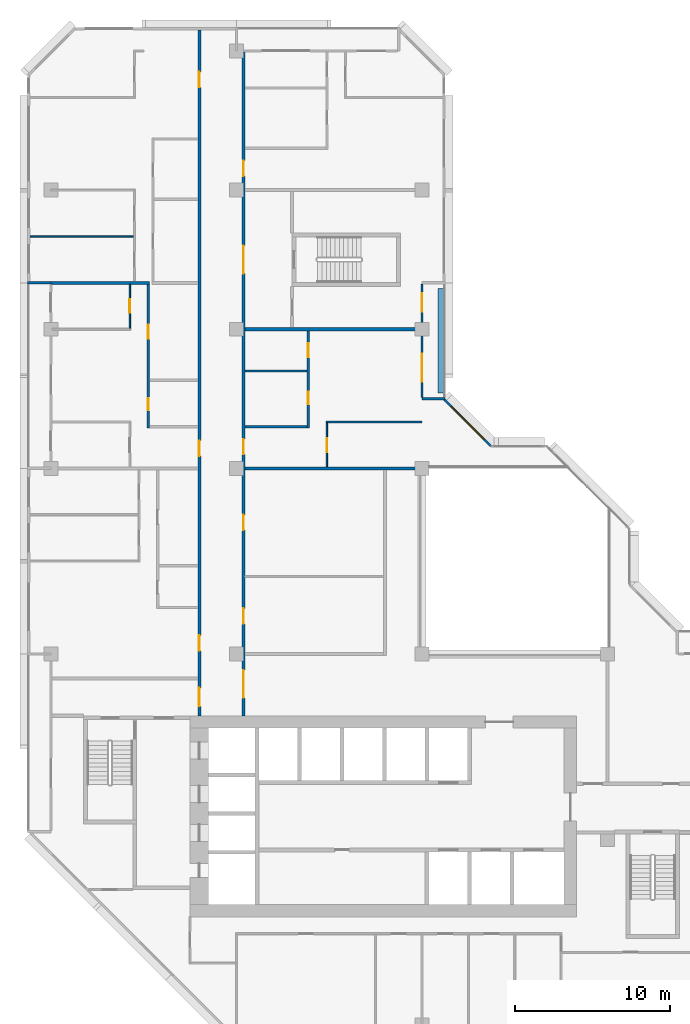
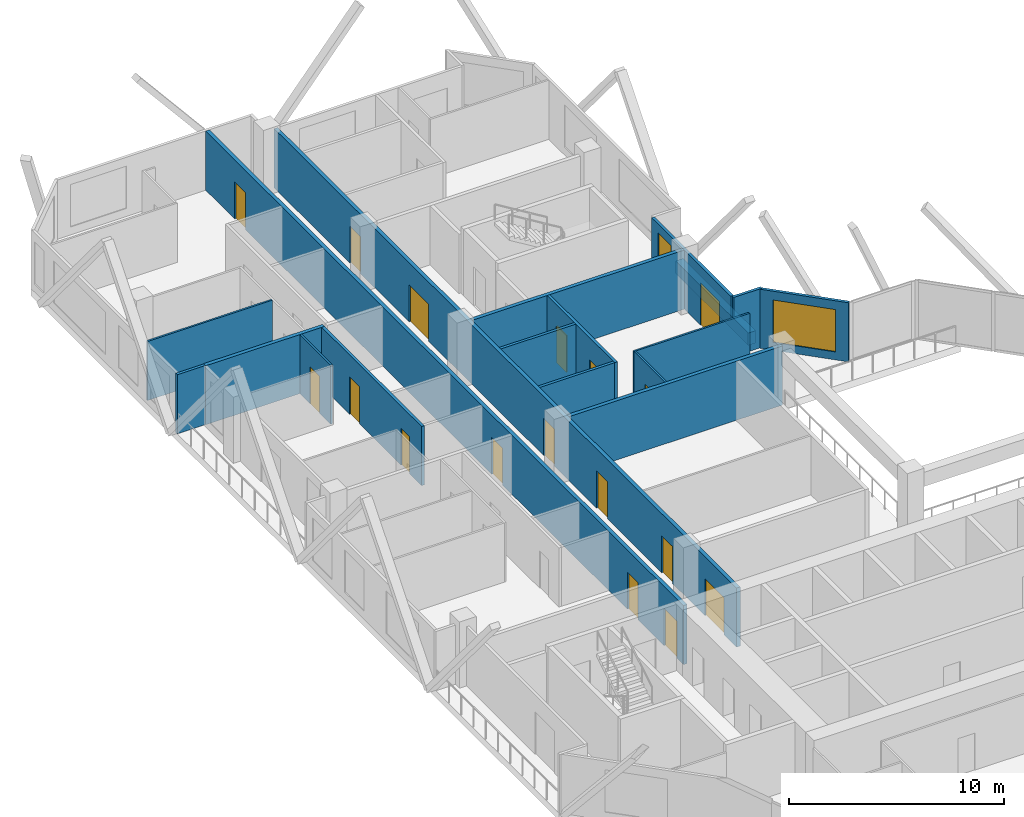
# One storey, part 9 of 14: 18 walls, 17 doors, 2 windows, 19 openings.
"""IFC4 building model written with IfcOpenShell, lengths in metres."""

from ifc_helpers import new_model, si_unit, direction, frame, frame_2d, origin, place, context, subcontext, project, spatial, rectangle, extrude, material, layer, layer_set, type_object, element, fill, save


model = new_model("IFC4")

# Units and contexts
model_context = context("Model", 3, precision=1e-05, world=origin(), true_north=direction((0.0, 1.0)))
body_context = subcontext(model_context, "Body", "Model", "MODEL_VIEW")
ifc_project = project(units=[si_unit("LENGTHUNIT", "METRE"), si_unit("AREAUNIT", "SQUARE_METRE"), si_unit("VOLUMEUNIT", "CUBIC_METRE"), si_unit("PLANEANGLEUNIT", "RADIAN"), si_unit("MASSUNIT", "GRAM", prefix="KILO")], contexts=[model_context])

# Site, building, storey
site_placement = place(None, origin())
site = spatial("IfcSite", under=ifc_project, at=site_placement, CompositionType="ELEMENT")
building_placement = place(site_placement, origin())
building = spatial("IfcBuilding", under=site, at=building_placement, Name="Chenar Terraces", CompositionType="ELEMENT")
storey_placement = place(building_placement, frame((0.0, 0.0, 179.89990234375)))
storey = spatial("IfcBuildingStorey", under=building, at=storey_placement, Name="L41", CompositionType="ELEMENT", Elevation=179.89990234375)

# Wall, openings, doors
ifc_material_1 = material(Name="Gypsum board on steel studs with fire boards", Category="steel")
ifc_layer_1 = layer(ifc_material_1, 0.199951171875)
ifc_layer_set_1 = layer_set([ifc_layer_1], Name="Gypsum board on steel studs with fire boards")
wall_type_1 = type_object("IfcWallType", Name="Corridor wall 200", PredefinedType="PARTITIONING", material=ifc_layer_set_1)
wall_1_placement = place(storey_placement, frame((9.60009765625, 20.0, 0.0), z_axis=(0.0, 0.0, 1.0), x_axis=(0.0, 1.0, 0.0)))
wall_1 = element("IfcWall", 1, at=wall_1_placement, inside=storey, type_object=wall_type_1, Name="Partition L41-031", PredefinedType="PARTITIONING", context=body_context, shape_type="SweptSolid", body=[
    extrude(rectangle(XDim=44.35009765625, YDim=0.199951171875, at=frame_2d((22.175048828125, 0.0))), origin(), (0.0, 0.0, 1.0), 3.35009765625),
])
opening_1_placement = place(wall_1_placement, frame((16.800048828125, 0.0, 0.0)))
opening_1 = element("IfcOpeningElement", 2, at=opening_1_placement, cuts=wall_1, Name="Opening DL41-27", PredefinedType="OPENING", context=body_context, shape_type="SweptSolid", body=[
    extrude(rectangle(XDim=1.0, YDim=2.10009765625, at=frame_2d((0.5, 1.050048828125))), frame((0.0, 0.10986328125, 0.0), z_axis=(0.0, -1.0, 0.0), x_axis=(1.0, 0.0, 0.0)), (0.0, 0.0, 1.0), 0.219970703125),
])
opening_2_placement = place(wall_1_placement, frame((40.64990234375, 0.0, 0.0)))
opening_2 = element("IfcOpeningElement", 3, at=opening_2_placement, cuts=wall_1, Name="Opening DL41-32", PredefinedType="OPENING", context=body_context, shape_type="SweptSolid", body=[
    extrude(rectangle(XDim=1.0, YDim=2.10009765625, at=frame_2d((0.5, 1.050048828125))), frame((0.0, 0.10986328125, 0.0), z_axis=(0.0, -1.0, 0.0), x_axis=(1.0, 0.0, 0.0)), (0.0, 0.0, 1.0), 0.219970703125),
])
opening_3_placement = place(wall_1_placement, frame((0.60009765625, 0.0, 0.0)))
opening_3 = element("IfcOpeningElement", 4, at=opening_3_placement, cuts=wall_1, Name="Opening DL41-36", PredefinedType="OPENING", context=body_context, shape_type="SweptSolid", body=[
    extrude(rectangle(XDim=1.199951171875, YDim=2.10009765625, at=frame_2d((0.60009765625, 1.050048828125))), frame((0.0, 0.10986328125, 0.0), z_axis=(0.0, -1.0, 0.0), x_axis=(1.0, 0.0, 0.0)), (0.0, 0.0, 1.0), 0.219970703125),
])
opening_4_placement = place(wall_1_placement, frame((4.199951171875, 0.0, 0.0)))
opening_4 = element("IfcOpeningElement", 5, at=opening_4_placement, cuts=wall_1, Name="Opening DL41-57", PredefinedType="OPENING", context=body_context, shape_type="SweptSolid", body=[
    extrude(rectangle(XDim=1.0, YDim=2.10009765625, at=frame_2d((0.5, 1.050048828125))), frame((0.0, 0.10986328125, 0.0), z_axis=(0.0, -1.0, 0.0), x_axis=(1.0, 0.0, 0.0)), (0.0, 0.0, 1.0), 0.219970703125),
])
ifc_material_2 = material(Name="Steel-framed fire-resisting door leaf", Category="steel")
door_type_1 = type_object("IfcDoorType", Name="Fire door FD30S 1000 x 2100", OperationType="SINGLE_SWING_LEFT", PredefinedType="DOOR", material=ifc_material_2)
door_1_placement = place(opening_1_placement, origin())
door_1 = element("IfcDoor", 6, at=door_1_placement, inside=storey, type_object=door_type_1, Name="Door DL41-27", OperationType="SINGLE_SWING_LEFT", OverallHeight=2.10009765625, OverallWidth=1.0, PredefinedType="DOOR", context=body_context, shape_type="SweptSolid", body=[
    extrude(rectangle(XDim=1.0, YDim=2.10009765625, at=frame_2d((0.5, 1.050048828125))), frame((0.0, 0.02490234375, 0.0), z_axis=(0.0, -1.0, 0.0), x_axis=(1.0, 0.0, 0.0)), (0.0, 0.0, 1.0), 0.050048828125),
])
fill(opening_1, door_1)
door_2_placement = place(opening_2_placement, origin())
door_2 = element("IfcDoor", 7, at=door_2_placement, inside=storey, type_object=door_type_1, Name="Door DL41-32", OperationType="SINGLE_SWING_RIGHT", OverallHeight=2.10009765625, OverallWidth=1.0, PredefinedType="DOOR", context=body_context, shape_type="SweptSolid", body=[
    extrude(rectangle(XDim=1.0, YDim=2.10009765625, at=frame_2d((0.5, 1.050048828125))), frame((0.0, 0.02490234375, 0.0), z_axis=(0.0, -1.0, 0.0), x_axis=(1.0, 0.0, 0.0)), (0.0, 0.0, 1.0), 0.050048828125),
])
fill(opening_2, door_2)
door_3_placement = place(opening_4_placement, origin())
door_3 = element("IfcDoor", 8, at=door_3_placement, inside=storey, type_object=door_type_1, Name="Door DL41-57", OperationType="SINGLE_SWING_RIGHT", OverallHeight=2.10009765625, OverallWidth=1.0, PredefinedType="DOOR", context=body_context, shape_type="SweptSolid", body=[
    extrude(rectangle(XDim=1.0, YDim=2.10009765625, at=frame_2d((0.5, 1.050048828125))), frame((0.0, 0.02490234375, 0.0), z_axis=(0.0, -1.0, 0.0), x_axis=(1.0, 0.0, 0.0)), (0.0, 0.0, 1.0), 0.050048828125),
])
fill(opening_4, door_3)
ifc_material_3 = material(Name="Steel-framed fire-resisting door leaf", Category="steel")
door_type_2 = type_object("IfcDoorType", Name="Fire door FD30S 1200 x 2100", OperationType="SINGLE_SWING_LEFT", PredefinedType="DOOR", material=ifc_material_3)
door_4_placement = place(opening_3_placement, origin())
door_4 = element("IfcDoor", 9, at=door_4_placement, inside=storey, type_object=door_type_2, Name="Door DL41-36", OperationType="SINGLE_SWING_RIGHT", OverallHeight=2.10009765625, OverallWidth=1.199951171875, PredefinedType="DOOR", context=body_context, shape_type="SweptSolid", body=[
    extrude(rectangle(XDim=1.199951171875, YDim=2.10009765625, at=frame_2d((0.60009765625, 1.050048828125))), frame((0.0, 0.02490234375, 0.0), z_axis=(0.0, -1.0, 0.0), x_axis=(1.0, 0.0, 0.0)), (0.0, 0.0, 1.0), 0.050048828125),
])
fill(opening_3, door_4)

wall_2_placement = place(storey_placement, frame((12.449951171875, 20.0, 0.0), z_axis=(0.0, 0.0, 1.0), x_axis=(0.0, 1.0, 0.0)))
wall_2 = element("IfcWall", 10, at=wall_2_placement, inside=storey, type_object=wall_type_1, Name="Partition L41-034", PredefinedType="PARTITIONING", context=body_context, shape_type="SweptSolid", body=[
    extrude(rectangle(XDim=42.926025390625, YDim=0.199951171875, at=frame_2d((21.462890625, 0.0))), origin(), (0.0, 0.0, 1.0), 3.35009765625),
])
opening_5_placement = place(wall_2_placement, frame((5.949951171875, 0.0, 0.0)))
opening_5 = element("IfcOpeningElement", 11, at=opening_5_placement, cuts=wall_2, Name="Opening DL41-1", PredefinedType="OPENING", context=body_context, shape_type="SweptSolid", body=[
    extrude(rectangle(XDim=1.0, YDim=2.10009765625, at=frame_2d((0.5, 1.050048828125))), frame((0.0, 0.10986328125, 0.0), z_axis=(0.0, -1.0, 0.0), x_axis=(1.0, 0.0, 0.0)), (0.0, 0.0, 1.0), 0.219970703125),
])
opening_6_placement = place(wall_2_placement, frame((12.0, 0.0, 0.0)))
opening_6 = element("IfcOpeningElement", 12, at=opening_6_placement, cuts=wall_2, Name="Opening DL41-2", PredefinedType="OPENING", context=body_context, shape_type="SweptSolid", body=[
    extrude(rectangle(XDim=1.0, YDim=2.10009765625, at=frame_2d((0.5, 1.050048828125))), frame((0.0, 0.10986328125, 0.0), z_axis=(0.0, -1.0, 0.0), x_axis=(1.0, 0.0, 0.0)), (0.0, 0.0, 1.0), 0.219970703125),
])
opening_7_placement = place(wall_2_placement, frame((16.89990234375, 0.0, 0.0)))
opening_7 = element("IfcOpeningElement", 13, at=opening_7_placement, cuts=wall_2, Name="Opening DL41-18", PredefinedType="OPENING", context=body_context, shape_type="SweptSolid", body=[
    extrude(rectangle(XDim=1.0, YDim=2.10009765625, at=frame_2d((0.5, 1.050048828125))), frame((0.0, 0.10986328125, 0.0), z_axis=(0.0, -1.0, 0.0), x_axis=(1.0, 0.0, 0.0)), (0.0, 0.0, 1.0), 0.219970703125),
])
opening_8_placement = place(wall_2_placement, frame((34.89990234375, 0.0, 0.0)))
opening_8 = element("IfcOpeningElement", 14, at=opening_8_placement, cuts=wall_2, Name="Opening DL41-22", PredefinedType="OPENING", context=body_context, shape_type="SweptSolid", body=[
    extrude(rectangle(XDim=1.0, YDim=2.10009765625, at=frame_2d((0.5, 1.050048828125))), frame((0.0, 0.10986328125, 0.0), z_axis=(0.0, -1.0, 0.0), x_axis=(1.0, 0.0, 0.0)), (0.0, 0.0, 1.0), 0.219970703125),
])
opening_9_placement = place(wall_2_placement, frame((1.14990234375, 0.0, 0.0)))
opening_9 = element("IfcOpeningElement", 15, at=opening_9_placement, cuts=wall_2, Name="Opening DL41-35", PredefinedType="OPENING", context=body_context, shape_type="SweptSolid", body=[
    extrude(rectangle(XDim=1.800048828125, YDim=2.10009765625, at=frame_2d((0.89990234375, 1.050048828125))), frame((0.0, 0.10986328125, 0.0), z_axis=(0.0, -1.0, 0.0), x_axis=(1.0, 0.0, 0.0)), (0.0, 0.0, 1.0), 0.219970703125),
])
opening_10_placement = place(wall_2_placement, frame((28.60009765625, 0.0, 0.0)))
opening_10 = element("IfcOpeningElement", 16, at=opening_10_placement, cuts=wall_2, Name="Opening DL41-37", PredefinedType="OPENING", context=body_context, shape_type="SweptSolid", body=[
    extrude(rectangle(XDim=1.800048828125, YDim=2.10009765625, at=frame_2d((0.89990234375, 1.050048828125))), frame((0.0, 0.10986328125, 0.0), z_axis=(0.0, -1.0, 0.0), x_axis=(1.0, 0.0, 0.0)), (0.0, 0.0, 1.0), 0.219970703125),
])
ifc_material_4 = material(Name="Steel-framed fire-resisting door leaf", Category="steel")
door_type_3 = type_object("IfcDoorType", Name="Fire door FD60 1000 x 2100", OperationType="SINGLE_SWING_LEFT", PredefinedType="DOOR", material=ifc_material_4)
door_5_placement = place(opening_5_placement, frame((1.0, 0.0, 0.0), z_axis=(0.0, 0.0, 1.0), x_axis=(-1.0, 0.0, 0.0)))
door_5 = element("IfcDoor", 17, at=door_5_placement, inside=storey, type_object=door_type_3, Name="Door DL41-1", OperationType="SINGLE_SWING_LEFT", OverallHeight=2.10009765625, OverallWidth=1.0, PredefinedType="DOOR", context=body_context, shape_type="SweptSolid", body=[
    extrude(rectangle(XDim=1.0, YDim=2.10009765625, at=frame_2d((0.5, 1.050048828125))), frame((0.0, 0.02490234375, 0.0), z_axis=(0.0, -1.0, 0.0), x_axis=(1.0, 0.0, 0.0)), (0.0, 0.0, 1.0), 0.050048828125),
])
fill(opening_5, door_5)
door_6_placement = place(opening_6_placement, frame((1.0, 0.0, 0.0), z_axis=(0.0, 0.0, 1.0), x_axis=(-1.0, 0.0, 0.0)))
door_6 = element("IfcDoor", 18, at=door_6_placement, inside=storey, type_object=door_type_3, Name="Door DL41-2", OperationType="SINGLE_SWING_LEFT", OverallHeight=2.10009765625, OverallWidth=1.0, PredefinedType="DOOR", context=body_context, shape_type="SweptSolid", body=[
    extrude(rectangle(XDim=1.0, YDim=2.10009765625, at=frame_2d((0.5, 1.050048828125))), frame((0.0, 0.02490234375, 0.0), z_axis=(0.0, -1.0, 0.0), x_axis=(1.0, 0.0, 0.0)), (0.0, 0.0, 1.0), 0.050048828125),
])
fill(opening_6, door_6)
door_7_placement = place(opening_7_placement, frame((1.0, 0.0, 0.0), z_axis=(0.0, 0.0, 1.0), x_axis=(-1.0, 0.0, 0.0)))
door_7 = element("IfcDoor", 19, at=door_7_placement, inside=storey, type_object=door_type_3, Name="Door DL41-18", OperationType="SINGLE_SWING_LEFT", OverallHeight=2.10009765625, OverallWidth=1.0, PredefinedType="DOOR", context=body_context, shape_type="SweptSolid", body=[
    extrude(rectangle(XDim=1.0, YDim=2.10009765625, at=frame_2d((0.5, 1.050048828125))), frame((0.0, 0.02490234375, 0.0), z_axis=(0.0, -1.0, 0.0), x_axis=(1.0, 0.0, 0.0)), (0.0, 0.0, 1.0), 0.050048828125),
])
fill(opening_7, door_7)
door_8_placement = place(opening_8_placement, frame((1.0, 0.0, 0.0), z_axis=(0.0, 0.0, 1.0), x_axis=(-1.0, 0.0, 0.0)))
door_8 = element("IfcDoor", 20, at=door_8_placement, inside=storey, type_object=door_type_3, Name="Door DL41-22", OperationType="SINGLE_SWING_LEFT", OverallHeight=2.10009765625, OverallWidth=1.0, PredefinedType="DOOR", context=body_context, shape_type="SweptSolid", body=[
    extrude(rectangle(XDim=1.0, YDim=2.10009765625, at=frame_2d((0.5, 1.050048828125))), frame((0.0, 0.02490234375, 0.0), z_axis=(0.0, -1.0, 0.0), x_axis=(1.0, 0.0, 0.0)), (0.0, 0.0, 1.0), 0.050048828125),
])
fill(opening_8, door_8)
ifc_material_5 = material(Name="Steel-framed fire-resisting door leaf", Category="steel")
door_type_4 = type_object("IfcDoorType", Name="Fire double door FD60 1800 x 2100", OperationType="DOUBLE_DOOR_SINGLE_SWING", PredefinedType="DOOR", material=ifc_material_5)
door_9_placement = place(opening_9_placement, frame((1.800048828125, 0.0, 0.0), z_axis=(0.0, 0.0, 1.0), x_axis=(-1.0, 0.0, 0.0)))
door_9 = element("IfcDoor", 21, at=door_9_placement, inside=storey, type_object=door_type_4, Name="Door DL41-35", OperationType="DOUBLE_DOOR_SINGLE_SWING", OverallHeight=2.10009765625, OverallWidth=1.800048828125, PredefinedType="DOOR", context=body_context, shape_type="SweptSolid", body=[
    extrude(rectangle(XDim=1.800048828125, YDim=2.10009765625, at=frame_2d((0.89990234375, 1.050048828125))), frame((0.0, 0.02490234375, 0.0), z_axis=(0.0, -1.0, 0.0), x_axis=(1.0, 0.0, 0.0)), (0.0, 0.0, 1.0), 0.050048828125),
])
fill(opening_9, door_9)
door_10_placement = place(opening_10_placement, frame((1.800048828125, 0.0, 0.0), z_axis=(0.0, 0.0, 1.0), x_axis=(-1.0, 0.0, 0.0)))
door_10 = element("IfcDoor", 22, at=door_10_placement, inside=storey, type_object=door_type_4, Name="Door DL41-37", OperationType="DOUBLE_DOOR_SINGLE_SWING", OverallHeight=2.10009765625, OverallWidth=1.800048828125, PredefinedType="DOOR", context=body_context, shape_type="SweptSolid", body=[
    extrude(rectangle(XDim=1.800048828125, YDim=2.10009765625, at=frame_2d((0.89990234375, 1.050048828125))), frame((0.0, 0.02490234375, 0.0), z_axis=(0.0, -1.0, 0.0), x_axis=(1.0, 0.0, 0.0)), (0.0, 0.0, 1.0), 0.050048828125),
])
fill(opening_10, door_10)

# Wall, openings, window, door
ifc_material_6 = material(Name="Aluminium framed glazing", Category="aluminium")
ifc_layer_2 = layer(ifc_material_6, 0.14990234375)
ifc_layer_set_2 = layer_set([ifc_layer_2], Name="Aluminium framed glazing")
wall_type_2 = type_object("IfcWallType", Name="Glazed loggia back wall 150", PredefinedType="SOLIDWALL", material=ifc_layer_set_2)
wall_3_placement = place(storey_placement, frame((24.0, 40.574951171875, 0.0), z_axis=(0.0, 0.0, 1.0), x_axis=(0.0, 1.0, 0.0)))
wall_3 = element("IfcWall", 23, at=wall_3_placement, inside=storey, type_object=wall_type_2, Name="Glazed loggia back wall", PredefinedType="SOLIDWALL", context=body_context, shape_type="SweptSolid", body=[
    extrude(rectangle(XDim=7.35009765625, YDim=0.14990234375, at=frame_2d((3.675048828125, 0.0))), origin(), (0.0, 0.0, 1.0), 3.35009765625),
])
opening_11_placement = place(wall_3_placement, frame((1.03759765625, 0.0, 0.0)))
opening_11 = element("IfcOpeningElement", 24, at=opening_11_placement, cuts=wall_3, Name="Opening DL41-G1", PredefinedType="OPENING", context=body_context, shape_type="SweptSolid", body=[
    extrude(rectangle(XDim=1.800048828125, YDim=2.39990234375, at=frame_2d((0.89990234375, 1.199951171875))), frame((0.0, 0.0849609375, 0.0), z_axis=(0.0, -1.0, 0.0), x_axis=(1.0, 0.0, 0.0)), (0.0, 0.0, 1.0), 0.169921875),
])
opening_12_placement = place(wall_3_placement, frame((5.5625, 0.0, 0.449951171875)))
opening_12 = element("IfcOpeningElement", 25, at=opening_12_placement, cuts=wall_3, Name="Opening W120x240", PredefinedType="OPENING", context=body_context, shape_type="SweptSolid", body=[
    extrude(rectangle(XDim=1.199951171875, YDim=2.39990234375, at=frame_2d((0.60009765625, 1.199951171875))), frame((0.0, 0.0849609375, 0.0), z_axis=(0.0, -1.0, 0.0), x_axis=(1.0, 0.0, 0.0)), (0.0, 0.0, 1.0), 0.169921875),
])
ifc_material_7 = material(Name="Low emissivity double glazing, aluminium frame", Category="aluminium")
window_type_1 = type_object("IfcWindowType", Name="Fixed light 1200 x 2400", PartitioningType="SINGLE_PANEL", PredefinedType="WINDOW", material=ifc_material_7)
window_1_placement = place(opening_12_placement, origin())
window_1 = element("IfcWindow", 26, at=window_1_placement, inside=storey, type_object=window_type_1, Name="Window", OverallHeight=2.39990234375, OverallWidth=1.199951171875, PartitioningType="SINGLE_PANEL", PredefinedType="WINDOW", context=body_context, shape_type="SweptSolid", body=[
    extrude(rectangle(XDim=1.199951171875, YDim=2.39990234375, at=frame_2d((0.60009765625, 1.199951171875))), frame((0.0, 0.030029296875, 0.0), z_axis=(0.0, -1.0, 0.0), x_axis=(1.0, 0.0, 0.0)), (0.0, 0.0, 1.0), 0.06005859375),
])
fill(opening_12, window_1)
ifc_material_8 = material(Name="Low emissivity double glazing, aluminium frame", Category="aluminium")
door_type_5 = type_object("IfcDoorType", Name="Loggia glazed double door 1800 x 2400", OperationType="DOUBLE_DOOR_SINGLE_SWING", PredefinedType="DOOR", material=ifc_material_8)
door_11_placement = place(opening_11_placement, frame((1.800048828125, 0.0, 0.0), z_axis=(0.0, 0.0, 1.0), x_axis=(-1.0, 0.0, 0.0)))
door_11 = element("IfcDoor", 27, at=door_11_placement, inside=storey, type_object=door_type_5, Name="Loggia glazed door", OperationType="DOUBLE_DOOR_SINGLE_SWING", OverallHeight=2.39990234375, OverallWidth=1.800048828125, PredefinedType="DOOR", context=body_context, shape_type="SweptSolid", body=[
    extrude(rectangle(XDim=1.800048828125, YDim=2.39990234375, at=frame_2d((0.89990234375, 1.199951171875))), frame((0.0, 0.02490234375, 0.0), z_axis=(0.0, -1.0, 0.0), x_axis=(1.0, 0.0, 0.0)), (0.0, 0.0, 1.0), 0.050048828125),
])
fill(opening_11, door_11)

# Wall
ifc_material_9 = material(Name="Gypsum board on steel studs", Category="steel")
ifc_layer_3 = layer(ifc_material_9, 0.10009765625)
ifc_layer_set_3 = layer_set([ifc_layer_3], Name="Gypsum board on steel studs")
wall_type_3 = type_object("IfcWallType", Name="Gypsum partition 100", PredefinedType="PARTITIONING", material=ifc_layer_set_3)
wall_4_placement = place(storey_placement, frame((-1.35009765625, 51.0, 0.0), z_axis=(0.0, 0.0, 1.0), x_axis=(1.0, 0.0, 0.0)))
element("IfcWall", 28, at=wall_4_placement, inside=storey, type_object=wall_type_3, Name="Partition L41-005", PredefinedType="PARTITIONING", context=body_context, shape_type="SweptSolid", body=[
    extrude(rectangle(XDim=6.7001953125, YDim=0.10009765625, at=frame_2d((3.35009765625, 0.0))), origin(), (0.0, 0.0, 1.0), 3.35009765625),
])

# Wall, opening, door
wall_5_placement = place(storey_placement, frame((5.10009765625, 45.050048828125, 0.0), z_axis=(0.0, 0.0, 1.0), x_axis=(0.0, 1.0, 0.0)))
wall_5 = element("IfcWall", 29, at=wall_5_placement, inside=storey, type_object=wall_type_3, Name="Partition L41-014", PredefinedType="PARTITIONING", context=body_context, shape_type="SweptSolid", body=[
    extrude(rectangle(XDim=2.849853515625, YDim=0.10009765625, at=frame_2d((1.4248046875, 0.0))), origin(), (0.0, 0.0, 1.0), 3.35009765625),
])
opening_13_placement = place(wall_5_placement, frame((1.0, 0.0, 0.0)))
opening_13 = element("IfcOpeningElement", 30, at=opening_13_placement, cuts=wall_5, Name="Opening DL41-25", PredefinedType="OPENING", context=body_context, shape_type="SweptSolid", body=[
    extrude(rectangle(XDim=0.89990234375, YDim=2.10009765625, at=frame_2d((0.449951171875, 1.050048828125))), frame((0.0, 0.06005859375, 0.0), z_axis=(0.0, -1.0, 0.0), x_axis=(1.0, 0.0, 0.0)), (0.0, 0.0, 1.0), 0.1201171875),
])
ifc_material_10 = material(Name="Veneered timber door leaf", Category="wood")
door_type_6 = type_object("IfcDoorType", Name="Door 900 x 2100", OperationType="SINGLE_SWING_LEFT", PredefinedType="DOOR", material=ifc_material_10)
door_12_placement = place(opening_13_placement, origin())
door_12 = element("IfcDoor", 31, at=door_12_placement, inside=storey, type_object=door_type_6, Name="Door DL41-25", OperationType="SINGLE_SWING_RIGHT", OverallHeight=2.10009765625, OverallWidth=0.89990234375, PredefinedType="DOOR", context=body_context, shape_type="SweptSolid", body=[
    extrude(rectangle(XDim=0.89990234375, YDim=2.10009765625, at=frame_2d((0.449951171875, 1.050048828125))), frame((0.0, 0.02490234375, 0.0), z_axis=(0.0, -1.0, 0.0), x_axis=(1.0, 0.0, 0.0)), (0.0, 0.0, 1.0), 0.050048828125),
])
fill(opening_13, door_12)

# Wall
wall_6_placement = place(storey_placement, frame((17.800048828125, 39.0, 0.0), z_axis=(0.0, 0.0, 1.0), x_axis=(1.0, 0.0, 0.0)))
element("IfcWall", 32, at=wall_6_placement, inside=storey, type_object=wall_type_3, Name="Partition L41-047", PredefinedType="PARTITIONING", context=body_context, shape_type="SweptSolid", body=[
    extrude(rectangle(XDim=6.199951171875, YDim=0.10009765625, at=frame_2d((3.10009765625, 0.0))), origin(), (0.0, 0.0, 1.0), 3.35009765625),
])

# Wall, opening, door
wall_7_placement = place(storey_placement, frame((17.85009765625, 36.10009765625, 0.0), z_axis=(0.0, 0.0, 1.0), x_axis=(0.0, 1.0, 0.0)))
wall_7 = element("IfcWall", 33, at=wall_7_placement, inside=storey, type_object=wall_type_3, Name="Partition L41-048", PredefinedType="PARTITIONING", context=body_context, shape_type="SweptSolid", body=[
    extrude(rectangle(XDim=2.849853515625, YDim=0.10009765625, at=frame_2d((1.4248046875, 0.0))), origin(), (0.0, 0.0, 1.0), 3.35009765625),
])
opening_14_placement = place(wall_7_placement, frame((0.949951171875, 0.0, 0.0)))
opening_14 = element("IfcOpeningElement", 34, at=opening_14_placement, cuts=wall_7, Name="Opening DL41-16", PredefinedType="OPENING", context=body_context, shape_type="SweptSolid", body=[
    extrude(rectangle(XDim=0.89990234375, YDim=2.10009765625, at=frame_2d((0.449951171875, 1.050048828125))), frame((0.0, 0.06005859375, 0.0), z_axis=(0.0, -1.0, 0.0), x_axis=(1.0, 0.0, 0.0)), (0.0, 0.0, 1.0), 0.1201171875),
])
door_13_placement = place(opening_14_placement, frame((0.89990234375, 0.0, 0.0), z_axis=(0.0, 0.0, 1.0), x_axis=(-1.0, 0.0, 0.0)))
door_13 = element("IfcDoor", 35, at=door_13_placement, inside=storey, type_object=door_type_6, Name="Door DL41-16", OperationType="SINGLE_SWING_LEFT", OverallHeight=2.10009765625, OverallWidth=0.89990234375, PredefinedType="DOOR", context=body_context, shape_type="SweptSolid", body=[
    extrude(rectangle(XDim=0.89990234375, YDim=2.10009765625, at=frame_2d((0.449951171875, 1.050048828125))), frame((0.0, 0.02490234375, 0.0), z_axis=(0.0, -1.0, 0.0), x_axis=(1.0, 0.0, 0.0)), (0.0, 0.0, 1.0), 0.050048828125),
])
fill(opening_14, door_13)

# Walls
ifc_material_11 = material(Name="Terracotta cladding on insulated backing", Category="masonry")
ifc_layer_4 = layer(ifc_material_11, 0.14990234375)
ifc_layer_set_4 = layer_set([ifc_layer_4], Name="Terracotta cladding on insulated backing")
wall_type_4 = type_object("IfcWallType", Name="Loggia return wall 150", PredefinedType="SOLIDWALL", material=ifc_layer_set_4)
for number, where, z_axis, x_axis, name in (
    (36, (25.5, 40.5, 0.0), (0.0, 0.0, 1.0), (-1.0, 0.0, 0.0), "Loggia return wall"),
    (37, (-1.5, 48.0, 0.0), (0.0, 0.0, 1.0), (1.0, 0.0, 0.0), "Loggia return wall"),
):
    element("IfcWall", number, at=place(storey_placement, frame(where, z_axis=z_axis, x_axis=x_axis)), inside=storey, type_object=wall_type_4, Name=name, PredefinedType="SOLIDWALL", context=body_context, shape_type="SweptSolid", body=[
        extrude(rectangle(XDim=1.5, YDim=0.14990234375, at=frame_2d((0.75, 0.0))), origin(), (0.0, 0.0, 1.0), 3.35009765625),
    ])

# Wall, opening, window
ifc_material_12 = material(Name="Terracotta cladding on insulated backing", Category="masonry")
ifc_layer_5 = layer(ifc_material_12, 0.14990234375)
ifc_layer_set_5 = layer_set([ifc_layer_5], Name="Terracotta cladding on insulated backing")
wall_type_5 = type_object("IfcWallType", Name="Terracotta rainscreen wall 150", PredefinedType="SOLIDWALL", material=ifc_layer_set_5)
wall_8_placement = place(storey_placement, frame((28.447021484375, 37.447021484375, 0.0), z_axis=(0.0, 0.0, 1.0), x_axis=(-0.707106781187, 0.707106781187, 0.0)))
wall_8 = element("IfcWall", 38, at=wall_8_placement, inside=storey, type_object=wall_type_5, Name="Terracotta rainscreen wall", PredefinedType="SOLIDWALL", context=body_context, shape_type="SweptSolid", body=[
    extrude(rectangle(XDim=4.24267578125, YDim=0.14990234375, at=frame_2d((2.121337890625, 0.0))), origin(), (0.0, 0.0, 1.0), 3.35009765625),
])
opening_15_placement = place(wall_8_placement, frame((0.621337890625, 0.0, 0.449951171875)))
opening_15 = element("IfcOpeningElement", 39, at=opening_15_placement, cuts=wall_8, Name="Opening W300x240", PredefinedType="OPENING", context=body_context, shape_type="SweptSolid", body=[
    extrude(rectangle(XDim=3.0, YDim=2.39990234375, at=frame_2d((1.5, 1.199951171875))), frame((0.0, 0.0849609375, 0.0), z_axis=(0.0, -1.0, 0.0), x_axis=(1.0, 0.0, 0.0)), (0.0, 0.0, 1.0), 0.169921875),
])
ifc_material_13 = material(Name="Low emissivity double glazing, aluminium frame", Category="aluminium")
window_type_2 = type_object("IfcWindowType", Name="Fixed light 3000 x 2400", PartitioningType="SINGLE_PANEL", PredefinedType="WINDOW", material=ifc_material_13)
window_2_placement = place(opening_15_placement, origin())
window_2 = element("IfcWindow", 40, at=window_2_placement, inside=storey, type_object=window_type_2, Name="Window", OverallHeight=2.39990234375, OverallWidth=3.0, PartitioningType="SINGLE_PANEL", PredefinedType="WINDOW", context=body_context, shape_type="SweptSolid", body=[
    extrude(rectangle(XDim=3.0, YDim=2.39990234375, at=frame_2d((1.5, 1.199951171875))), frame((0.0, 0.030029296875, 0.0), z_axis=(0.0, -1.0, 0.0), x_axis=(1.0, 0.0, 0.0)), (0.0, 0.0, 1.0), 0.06005859375),
])
fill(opening_15, window_2)

# Walls
ifc_material_14 = material(Name="Twin gypsum board on steel studs with mineral wool", Category="steel")
ifc_layer_6 = layer(ifc_material_14, 0.199951171875)
ifc_layer_set_6 = layer_set([ifc_layer_6], Name="Twin gypsum board on steel studs with mineral wool")
wall_type_6 = type_object("IfcWallType", Name="Unit demising wall 200", PredefinedType="PARTITIONING", material=ifc_layer_set_6)
wall_9_placement = place(storey_placement, frame((0.0, 48.0, 0.0), z_axis=(0.0, 0.0, 1.0), x_axis=(1.0, 0.0, 0.0)))
element("IfcWall", 41, at=wall_9_placement, inside=storey, type_object=wall_type_6, Name="Partition L41-004", PredefinedType="PARTITIONING", context=body_context, shape_type="SweptSolid", body=[
    extrude(rectangle(XDim=6.375, YDim=0.199951171875, at=frame_2d((3.1875, 0.0))), origin(), (0.0, 0.0, 1.0), 3.35009765625),
])
wall_10_placement = place(storey_placement, frame((12.550048828125, 36.0, 0.0), z_axis=(0.0, 0.0, 1.0), x_axis=(1.0, 0.0, 0.0)))
element("IfcWall", 42, at=wall_10_placement, inside=storey, type_object=wall_type_6, Name="Partition L41-037", PredefinedType="PARTITIONING", context=body_context, shape_type="SweptSolid", body=[
    extrude(rectangle(XDim=11.449951171875, YDim=0.199951171875, at=frame_2d((5.72509765625, 0.0))), origin(), (0.0, 0.0, 1.0), 3.35009765625),
])
wall_11_placement = place(storey_placement, frame((12.550048828125, 45.0, 0.0), z_axis=(0.0, 0.0, 1.0), x_axis=(1.0, 0.0, 0.0)))
element("IfcWall", 43, at=wall_11_placement, inside=storey, type_object=wall_type_6, Name="Partition L41-040", PredefinedType="PARTITIONING", context=body_context, shape_type="SweptSolid", body=[
    extrude(rectangle(XDim=11.3759765625, YDim=0.199951171875, at=frame_2d((5.68798828125, 0.0))), origin(), (0.0, 0.0, 1.0), 3.35009765625),
])
ifc_material_15 = material(Name="GRP planter trough")
ifc_layer_7 = layer(ifc_material_15, 0.39990234375)
ifc_layer_set_7 = layer_set([ifc_layer_7], Name="GRP planter trough")
wall_type_7 = type_object("IfcWallType", Name="Vertical greenery planter 400", PredefinedType="SOLIDWALL", material=ifc_layer_set_7)
wall_12_placement = place(storey_placement, frame((25.22900390625, 40.875, 0.0), z_axis=(0.0, 0.0, 1.0), x_axis=(0.0, 1.0, 0.0)))
element("IfcWall", 44, at=wall_12_placement, inside=storey, type_object=wall_type_7, Name="Vertical greenery planter", PredefinedType="SOLIDWALL", context=body_context, shape_type="SweptSolid", body=[
    extrude(rectangle(XDim=6.75, YDim=0.39990234375, at=frame_2d((3.375, 0.0))), origin(), (0.0, 0.0, 1.0), 0.7001953125),
])

# Wall, openings, doors
ifc_material_16 = material(Name="Moisture-resistant gypsum board on steel studs", Category="steel")
ifc_layer_8 = layer(ifc_material_16, 0.14990234375)
ifc_layer_set_8 = layer_set([ifc_layer_8], Name="Moisture-resistant gypsum board on steel studs")
wall_type_8 = type_object("IfcWallType", Name="Wet-room partition 150", PredefinedType="PARTITIONING", material=ifc_layer_set_8)
wall_13_placement = place(storey_placement, frame((6.300048828125, 38.625, 0.0), z_axis=(0.0, 0.0, 1.0), x_axis=(0.0, 1.0, 0.0)))
wall_13 = element("IfcWall", 45, at=wall_13_placement, inside=storey, type_object=wall_type_8, Name="Partition L41-019", PredefinedType="PARTITIONING", context=body_context, shape_type="SweptSolid", body=[
    extrude(rectangle(XDim=9.27490234375, YDim=0.14990234375, at=frame_2d((4.637451171875, 0.0))), origin(), (0.0, 0.0, 1.0), 3.35009765625),
])
opening_16_placement = place(wall_13_placement, frame((1.125, 0.0, 0.0)))
opening_16 = element("IfcOpeningElement", 46, at=opening_16_placement, cuts=wall_13, Name="Opening DL41-23", PredefinedType="OPENING", context=body_context, shape_type="SweptSolid", body=[
    extrude(rectangle(XDim=0.800048828125, YDim=2.10009765625, at=frame_2d((0.39990234375, 1.050048828125))), frame((0.0, 0.0849609375, 0.0), z_axis=(0.0, -1.0, 0.0), x_axis=(1.0, 0.0, 0.0)), (0.0, 0.0, 1.0), 0.169921875),
])
opening_17_placement = place(wall_13_placement, frame((5.77490234375, 0.0, 0.0)))
opening_17 = element("IfcOpeningElement", 47, at=opening_17_placement, cuts=wall_13, Name="Opening DL41-26", PredefinedType="OPENING", context=body_context, shape_type="SweptSolid", body=[
    extrude(rectangle(XDim=0.89990234375, YDim=2.10009765625, at=frame_2d((0.449951171875, 1.050048828125))), frame((0.0, 0.0849609375, 0.0), z_axis=(0.0, -1.0, 0.0), x_axis=(1.0, 0.0, 0.0)), (0.0, 0.0, 1.0), 0.169921875),
])
ifc_material_17 = material(Name="Veneered timber door leaf", Category="wood")
door_type_7 = type_object("IfcDoorType", Name="Door 800 x 2100", OperationType="SINGLE_SWING_LEFT", PredefinedType="DOOR", material=ifc_material_17)
door_14_placement = place(opening_16_placement, frame((0.800048828125, 0.0, 0.0), z_axis=(0.0, 0.0, 1.0), x_axis=(-1.0, 0.0, 0.0)))
door_14 = element("IfcDoor", 48, at=door_14_placement, inside=storey, type_object=door_type_7, Name="Door DL41-23", OperationType="SINGLE_SWING_RIGHT", OverallHeight=2.10009765625, OverallWidth=0.800048828125, PredefinedType="DOOR", context=body_context, shape_type="SweptSolid", body=[
    extrude(rectangle(XDim=0.800048828125, YDim=2.10009765625, at=frame_2d((0.39990234375, 1.050048828125))), frame((0.0, 0.02490234375, 0.0), z_axis=(0.0, -1.0, 0.0), x_axis=(1.0, 0.0, 0.0)), (0.0, 0.0, 1.0), 0.050048828125),
])
fill(opening_16, door_14)
door_15_placement = place(opening_17_placement, frame((0.89990234375, 0.0, 0.0), z_axis=(0.0, 0.0, 1.0), x_axis=(-1.0, 0.0, 0.0)))
door_15 = element("IfcDoor", 49, at=door_15_placement, inside=storey, type_object=door_type_6, Name="Door DL41-26", OperationType="SINGLE_SWING_LEFT", OverallHeight=2.10009765625, OverallWidth=0.89990234375, PredefinedType="DOOR", context=body_context, shape_type="SweptSolid", body=[
    extrude(rectangle(XDim=0.89990234375, YDim=2.10009765625, at=frame_2d((0.449951171875, 1.050048828125))), frame((0.0, 0.02490234375, 0.0), z_axis=(0.0, -1.0, 0.0), x_axis=(1.0, 0.0, 0.0)), (0.0, 0.0, 1.0), 0.050048828125),
])
fill(opening_17, door_15)

# Walls
for number, where, z_axis, x_axis, name in (
    (50, (12.550048828125, 38.699951171875, 0.0), (0.0, 0.0, 1.0), (1.0, 0.0, 0.0), "Partition L41-038"),
    (51, (12.550048828125, 42.300048828125, 0.0), (0.0, 0.0, 1.0), (1.0, 0.0, 0.0), "Partition L41-039"),
):
    element("IfcWall", number, at=place(storey_placement, frame(where, z_axis=z_axis, x_axis=x_axis)), inside=storey, type_object=wall_type_8, Name=name, PredefinedType="PARTITIONING", context=body_context, shape_type="SweptSolid", body=[
        extrude(rectangle(XDim=4.02490234375, YDim=0.14990234375, at=frame_2d((2.012451171875, 0.0))), origin(), (0.0, 0.0, 1.0), 3.35009765625),
    ])

# Wall, openings, doors
wall_14_placement = place(storey_placement, frame((16.64990234375, 38.625, 0.0), z_axis=(0.0, 0.0, 1.0), x_axis=(0.0, 1.0, 0.0)))
wall_14 = element("IfcWall", 52, at=wall_14_placement, inside=storey, type_object=wall_type_8, Name="Partition L41-046", PredefinedType="PARTITIONING", context=body_context, shape_type="SweptSolid", body=[
    extrude(rectangle(XDim=6.27490234375, YDim=0.14990234375, at=frame_2d((3.137451171875, 0.0))), origin(), (0.0, 0.0, 1.0), 3.35009765625),
])
opening_18_placement = place(wall_14_placement, frame((1.52490234375, 0.0, 0.0)))
opening_18 = element("IfcOpeningElement", 53, at=opening_18_placement, cuts=wall_14, Name="Opening DL41-15", PredefinedType="OPENING", context=body_context, shape_type="SweptSolid", body=[
    extrude(rectangle(XDim=0.800048828125, YDim=2.10009765625, at=frame_2d((0.39990234375, 1.050048828125))), frame((0.0, 0.0849609375, 0.0), z_axis=(0.0, -1.0, 0.0), x_axis=(1.0, 0.0, 0.0)), (0.0, 0.0, 1.0), 0.169921875),
])
opening_19_placement = place(wall_14_placement, frame((4.574951171875, 0.0, 0.0)))
opening_19 = element("IfcOpeningElement", 54, at=opening_19_placement, cuts=wall_14, Name="Opening DL41-17", PredefinedType="OPENING", context=body_context, shape_type="SweptSolid", body=[
    extrude(rectangle(XDim=0.89990234375, YDim=2.10009765625, at=frame_2d((0.449951171875, 1.050048828125))), frame((0.0, 0.0849609375, 0.0), z_axis=(0.0, -1.0, 0.0), x_axis=(1.0, 0.0, 0.0)), (0.0, 0.0, 1.0), 0.169921875),
])
door_16_placement = place(opening_18_placement, origin())
door_16 = element("IfcDoor", 55, at=door_16_placement, inside=storey, type_object=door_type_7, Name="Door DL41-15", OperationType="SINGLE_SWING_RIGHT", OverallHeight=2.10009765625, OverallWidth=0.800048828125, PredefinedType="DOOR", context=body_context, shape_type="SweptSolid", body=[
    extrude(rectangle(XDim=0.800048828125, YDim=2.10009765625, at=frame_2d((0.39990234375, 1.050048828125))), frame((0.0, 0.02490234375, 0.0), z_axis=(0.0, -1.0, 0.0), x_axis=(1.0, 0.0, 0.0)), (0.0, 0.0, 1.0), 0.050048828125),
])
fill(opening_18, door_16)
door_17_placement = place(opening_19_placement, origin())
door_17 = element("IfcDoor", 56, at=door_17_placement, inside=storey, type_object=door_type_6, Name="Door DL41-17", OperationType="SINGLE_SWING_RIGHT", OverallHeight=2.10009765625, OverallWidth=0.89990234375, PredefinedType="DOOR", context=body_context, shape_type="SweptSolid", body=[
    extrude(rectangle(XDim=0.89990234375, YDim=2.10009765625, at=frame_2d((0.449951171875, 1.050048828125))), frame((0.0, 0.02490234375, 0.0), z_axis=(0.0, -1.0, 0.0), x_axis=(1.0, 0.0, 0.0)), (0.0, 0.0, 1.0), 0.050048828125),
])
fill(opening_19, door_17)

save(model, "model.ifc")
